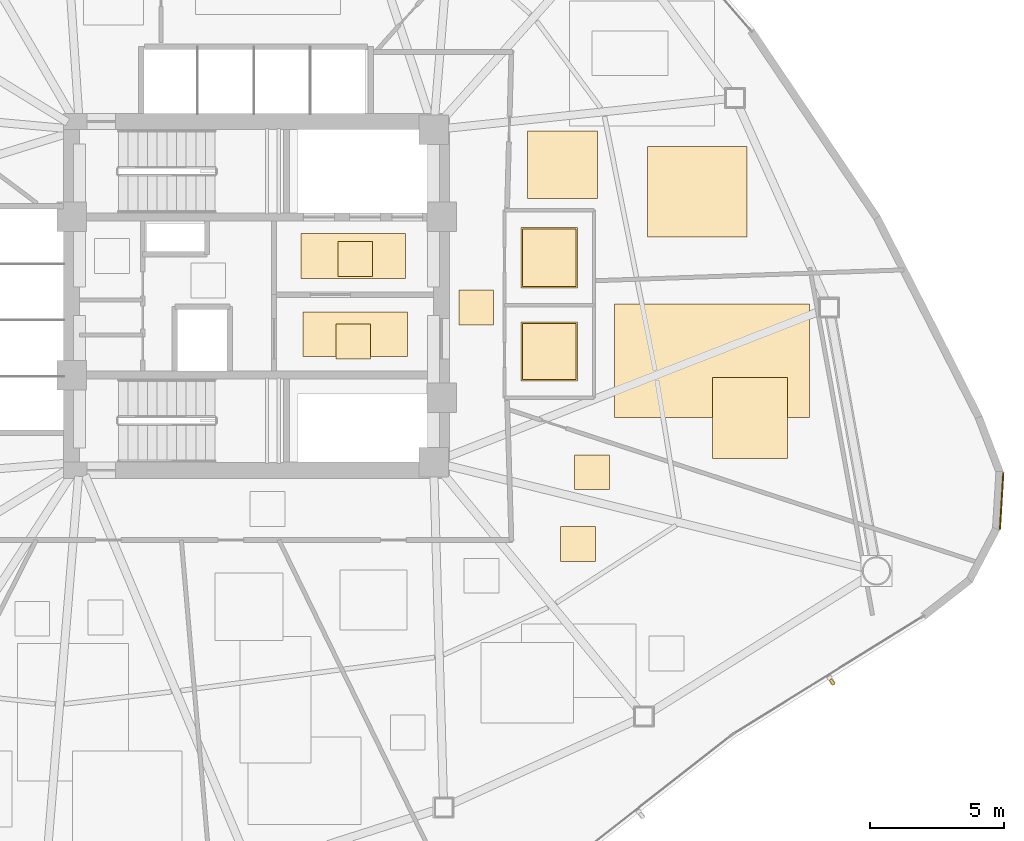
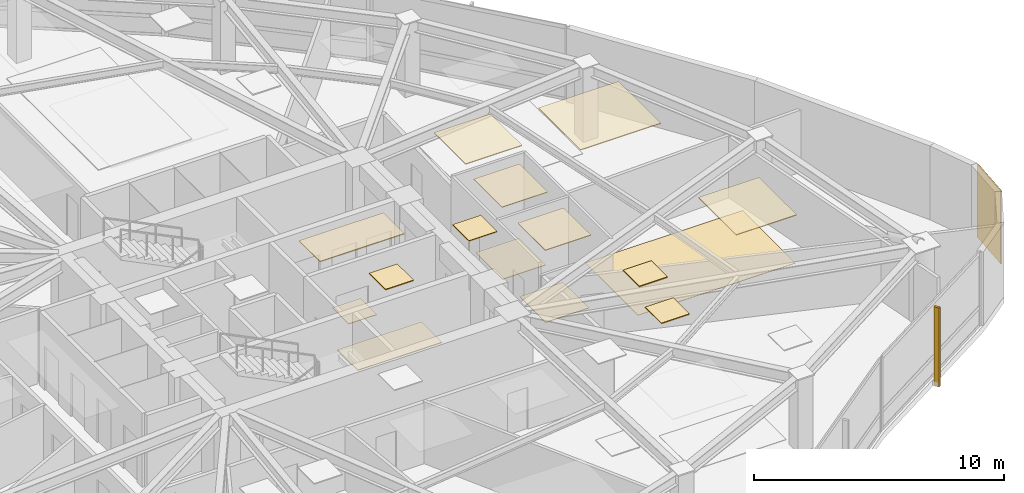
# One storey, part 16 of 17: 16 coverings, 1 shading device.
"""IFC4 building model written with IfcOpenShell, lengths in metres."""

import ifcopenshell
import ifcopenshell.guid

model = None  # the IFC model being written
_history = None  # IfcOwnerHistory: only IFC2X3 demands one
_inside = {}  # id of a spatial element -> (the spatial element, [elements in it])
_under = {}  # id of a project, library or spatial element -> (it, [spatial elements below it])
_declared = {}  # id of a project -> (the project, [libraries it declares])
_typed = {}  # id of a type object -> (the type object, [elements of that type])
_made_of = {}  # id of a material, layer set ... -> (it, [elements and type objects made of it])


def new_model(schema):
    """Start an empty IFC model of exactly this schema.

    Asked for "IFC4X3", IfcOpenShell would pick the latest addendum, in which some entities
    have other attributes; the version numbers below select the first issue.
    IFC2X3 requires an IfcOwnerHistory on every rooted entity: one is made here for all.
    """
    global model, _history
    if schema == "IFC4X3":
        model = ifcopenshell.file(schema_version=(4, 3, 0, 0))
    else:
        model = ifcopenshell.file(schema=schema)
    _inside.clear()
    _under.clear()
    _declared.clear()
    _typed.clear()
    _made_of.clear()
    _history = None
    if model.schema == "IFC2X3":
        org = make("IfcOrganization", Name="unknown")
        user = make(
            "IfcPersonAndOrganization",
            ThePerson=make("IfcPerson", FamilyName="unknown"),
            TheOrganization=org,
        )
        app = make(
            "IfcApplication",
            ApplicationDeveloper=org,
            Version="unknown",
            ApplicationFullName="unknown",
            ApplicationIdentifier="unknown",
        )
        _history = make(
            "IfcOwnerHistory",
            OwningUser=user,
            OwningApplication=app,
            ChangeAction="ADDED",
            CreationDate=0,
        )
    return model


def make(cls, **values):
    """One entity of the class cls with the attributes given. An attribute that is None is left unset."""
    return model.create_entity(
        cls, **{name: value for name, value in values.items() if value is not None}
    )


def rooted(cls, **values):
    """An entity with a GlobalId (a new one), such as an element, a storey or a relation."""
    return make(cls, GlobalId=ifcopenshell.guid.new(), OwnerHistory=_history, **values)


def si_unit(unit_type, name, prefix=None):
    """IfcSIUnit, for example si_unit("LENGTHUNIT", "METRE", prefix="MILLI")."""
    return make("IfcSIUnit", UnitType=unit_type, Prefix=prefix, Name=name)


def assignment(units):
    """IfcUnitAssignment: the units of a project."""
    return None if units is None else make("IfcUnitAssignment", Units=units)


def point(xyz):
    """IfcCartesianPoint."""
    return None if xyz is None else make("IfcCartesianPoint", Coordinates=xyz)


def direction(xyz):
    """IfcDirection."""
    return None if xyz is None else make("IfcDirection", DirectionRatios=xyz)


def frame(location, z_axis=None, x_axis=None):
    """IfcAxis2Placement3D, a coordinate frame: its origin and axes. An axis left out is left unset."""
    return make(
        "IfcAxis2Placement3D",
        Location=point(location),
        Axis=direction(z_axis),
        RefDirection=direction(x_axis),
    )


def frame_2d(location, x_axis=None):
    """IfcAxis2Placement2D, a coordinate frame in the plane: its origin and x axis."""
    return make(
        "IfcAxis2Placement2D", Location=point(location), RefDirection=direction(x_axis)
    )


def origin():
    """The frame at (0, 0, 0) with its axes left unset."""
    return frame((0.0, 0.0, 0.0))


def origin_2d():
    """The frame at (0, 0) in the plane with its x axis left unset."""
    return frame_2d((0.0, 0.0))


def place(relative_to, where):
    """IfcLocalPlacement: puts the frame where relative to a parent placement (None: the world)."""
    return make(
        "IfcLocalPlacement", PlacementRelTo=relative_to, RelativePlacement=where
    )


def context(
    kind, dimensions, precision=None, world=None, true_north=None, identifier=None
):
    """IfcGeometricRepresentationContext, for example the 3D "Model" context."""
    return make(
        "IfcGeometricRepresentationContext",
        ContextIdentifier=identifier,
        ContextType=kind,
        CoordinateSpaceDimension=dimensions,
        Precision=precision,
        WorldCoordinateSystem=world,
        TrueNorth=true_north,
    )


def subcontext(parent, identifier, kind, view, scale=None):
    """IfcGeometricRepresentationSubContext, for example "Body" below "Model"."""
    return make(
        "IfcGeometricRepresentationSubContext",
        ContextIdentifier=identifier,
        ContextType=kind,
        ParentContext=parent,
        TargetScale=scale,
        TargetView=view,
    )


def project(units=None, contexts=None):
    """IfcProject with its units and contexts."""
    return rooted(
        "IfcProject",
        Name="project",
        RepresentationContexts=contexts,
        UnitsInContext=assignment(units),
    )


def spatial(cls, under=None, at=None, **own):
    """A site, building, storey or space (cls), placed at a placement, below another one or the project."""
    s = rooted(cls, ObjectPlacement=at, **own)
    if under is not None:
        _under.setdefault(under.id(), (under, []))[1].append(s)
    return s


def polyline(points):
    """IfcPolyline through the points."""
    return make("IfcPolyline", Points=[point(p) for p in points])


def profile(cls, at=None, kind="AREA", **sizes):
    """A parametric profile (cls). Its sizes go by their IFC names, for example OverallWidth=200.0."""
    return make(cls, ProfileType=kind, Position=at, **sizes)


def rectangle(**sizes):
    """IfcRectangleProfileDef."""
    return profile("IfcRectangleProfileDef", **sizes)


def outline(outer, holes=None, kind="AREA"):
    """IfcArbitraryClosedProfileDef: a profile drawn as a closed curve; with holes, ...WithVoids."""
    if holes is None:
        return make("IfcArbitraryClosedProfileDef", ProfileType=kind, OuterCurve=outer)
    return make(
        "IfcArbitraryProfileDefWithVoids",
        ProfileType=kind,
        OuterCurve=outer,
        InnerCurves=holes,
    )


def extrude(swept, where, along, depth):
    """IfcExtrudedAreaSolid: the profile swept, set in the frame where, extruded along a direction by depth."""
    return make(
        "IfcExtrudedAreaSolid",
        SweptArea=swept,
        Position=where,
        ExtrudedDirection=direction(along),
        Depth=depth,
    )


def shape(context_of_items, identifier, shape_type, items):
    """IfcShapeRepresentation: the items that make up one representation, for example the "Body"."""
    return make(
        "IfcShapeRepresentation",
        ContextOfItems=context_of_items,
        RepresentationIdentifier=identifier,
        RepresentationType=shape_type,
        Items=items,
    )


def source(mapping_origin, context_of_items, identifier, shape_type, items):
    """IfcRepresentationMap: a shape defined once, which mapped items show again and again."""
    return make(
        "IfcRepresentationMap",
        MappingOrigin=mapping_origin,
        MappedRepresentation=shape(context_of_items, identifier, shape_type, items),
    )


def transform(
    local_origin,
    x_axis=None,
    y_axis=None,
    z_axis=None,
    scale=None,
    scale2=None,
    scale3=None,
    uniform=True,
):
    """IfcCartesianTransformationOperator3D, or its non-uniform kind. x_axis, y_axis, z_axis: its Axis1, 2, 3."""
    if uniform:
        return make(
            "IfcCartesianTransformationOperator3D",
            Axis1=direction(x_axis),
            Axis2=direction(y_axis),
            LocalOrigin=point(local_origin),
            Scale=scale,
            Axis3=direction(z_axis),
        )
    return make(
        "IfcCartesianTransformationOperator3DnonUniform",
        Axis1=direction(x_axis),
        Axis2=direction(y_axis),
        LocalOrigin=point(local_origin),
        Scale=scale,
        Axis3=direction(z_axis),
        Scale2=scale2,
        Scale3=scale3,
    )


def mapped(mapping_source, mapping_target):
    """IfcMappedItem: shows the shape of a source again, moved by a transform."""
    return make(
        "IfcMappedItem", MappingSource=mapping_source, MappingTarget=mapping_target
    )


def material(Name=None, Category=None):
    """IfcMaterial."""
    return make("IfcMaterial", Name=Name, Category=Category)


def layer(
    of_material, thickness, ventilated=None, Name=None, Category=None, Priority=None
):
    """IfcMaterialLayer: one layer of a wall or slab, of a material (None: an air gap)."""
    return make(
        "IfcMaterialLayer",
        Material=of_material,
        LayerThickness=thickness,
        IsVentilated=ventilated,
        Name=Name,
        Category=Category,
        Priority=Priority,
    )


def layer_set(layers, Name=None):
    """IfcMaterialLayerSet."""
    return make("IfcMaterialLayerSet", MaterialLayers=layers, LayerSetName=Name)


def made_of(thing, what):
    """Note that an element or type object is made of a material, layer set ...; save() writes the relation."""
    if what is not None:
        _made_of.setdefault(what.id(), (what, []))[1].append(thing)
    return thing


def type_object(cls, material=None, **own):
    """A type object (cls), such as IfcWallType, which elements share."""
    return made_of(rooted(cls, **own), material)


def type_shapes(of_type, sources):
    """Give a type object the sources (RepresentationMaps) that its elements show as mapped items."""
    of_type.RepresentationMaps = sources


def element(
    cls,
    number,
    at=None,
    inside=None,
    cuts=None,
    type_object=None,
    material=None,
    context=None,
    identifier="Body",
    shape_type=None,
    held_by="IfcProductDefinitionShape",
    body=None,
    shapes=None,
    **own,
):
    """One element of the class cls, such as IfcWall. Its Tag is "e" and its number.

    at: its placement. inside: the storey or other place that contains it. cuts: it is an
    opening in that element (IfcRelVoidsElement). A single representation is given by context,
    identifier, shape_type and body (its items); several are given by shapes. held_by: the class
    of the entity that holds the representations. save() writes the other relations.
    """
    e = rooted(cls, Tag="e%d" % number, ObjectPlacement=at, **own)
    if body is not None:
        shapes = [shape(context, identifier, shape_type, body)]
    if shapes is not None:
        e.Representation = make(held_by, Representations=shapes)
    if inside is not None:
        _inside.setdefault(inside.id(), (inside, []))[1].append(e)
    if cuts is not None:
        rooted(
            "IfcRelVoidsElement", RelatingBuildingElement=cuts, RelatedOpeningElement=e
        )
    if type_object is not None:
        _typed.setdefault(type_object.id(), (type_object, []))[1].append(e)
    return made_of(e, material)


def aggregate(whole, parts):
    """IfcRelAggregates: a whole, such as a stair, and the parts it consists of."""
    return rooted("IfcRelAggregates", RelatingObject=whole, RelatedObjects=parts)


def save(model, path):
    """Write the relations noted so far, then the file.

    IfcRelAggregates (storeys below a building ...), IfcRelContainedInSpatialStructure (elements
    in a storey), IfcRelDefinesByType, IfcRelAssociatesMaterial and IfcRelDeclares: one each for
    every whole, place, type object, material and project.
    """
    for whole, parts in _under.values():
        aggregate(whole, parts)
    for where, things in _inside.values():
        rooted(
            "IfcRelContainedInSpatialStructure",
            RelatedElements=things,
            RelatingStructure=where,
        )
    for kind, things in _typed.values():
        rooted("IfcRelDefinesByType", RelatedObjects=things, RelatingType=kind)
    for what, things in _made_of.values():
        rooted("IfcRelAssociatesMaterial", RelatedObjects=things, RelatingMaterial=what)
    for by, libraries in _declared.values():
        rooted("IfcRelDeclares", RelatingContext=by, RelatedDefinitions=libraries)
    model.write(path)


model = new_model("IFC4")

# Units and contexts
model_context = context("Model", 3, precision=1e-05, world=origin(), true_north=direction((0.0, 1.0)))
body_context = subcontext(model_context, "Body", "Model", "MODEL_VIEW")
ifc_project = project(units=[si_unit("LENGTHUNIT", "METRE"), si_unit("AREAUNIT", "SQUARE_METRE"), si_unit("VOLUMEUNIT", "CUBIC_METRE"), si_unit("PLANEANGLEUNIT", "RADIAN"), si_unit("MASSUNIT", "GRAM", prefix="KILO")], contexts=[model_context])

# Site, building, storey
site_placement = place(None, origin())
site = spatial("IfcSite", under=ifc_project, at=site_placement, CompositionType="ELEMENT")
building_placement = place(site_placement, origin())
building = spatial("IfcBuilding", under=site, at=building_placement, Name="Tavelor Broadcast Tower", CompositionType="ELEMENT")
storey_placement = place(building_placement, frame((0.0, 0.0, 86.10009765625)))
storey = spatial("IfcBuildingStorey", under=building, at=storey_placement, Name="L20", CompositionType="ELEMENT", Elevation=86.10009765625)

# Coverings
ifc_material_1 = material(Name="Copper-Bronze Anodized Aluminium", Category="aluminium")
ifc_layer_1 = layer(ifc_material_1, 0.044921875)
ifc_layer_set_1 = layer_set([ifc_layer_1], Name="Copper-Bronze Anodized Aluminium")
covering_type_1 = type_object("IfcCoveringType", Name="Anodised Bronze Linear Slatted Concourse Ceiling 45 mm", PredefinedType="CEILING", material=ifc_layer_set_1)
covering_1_placement = place(storey_placement, frame((0.0, 0.0, 3.554931640625)))
element("IfcCovering", 1, at=covering_1_placement, inside=storey, type_object=covering_type_1, Name="L20 Suspended Acoustic Ceiling 0827", PredefinedType="CEILING", context=body_context, shape_type="SweptSolid", body=[
    extrude(outline(polyline([(51.659912109375, 45.654296875), (55.55712890625, 45.654296875), (55.55712890625, 47.331787109375), (51.659912109375, 47.331787109375), (51.659912109375, 45.654296875)])), origin(), (0.0, 0.0, 1.0), 0.044921875),
])
covering_2_placement = place(storey_placement, frame((0.0, 0.0, 3.554931640625)))
element("IfcCovering", 2, at=covering_2_placement, inside=storey, type_object=covering_type_1, Name="L20 Suspended Acoustic Ceiling 0828", PredefinedType="CEILING", context=body_context, shape_type="SweptSolid", body=[
    extrude(outline(polyline([(52.95361328125, 42.656982421875), (54.25341796875, 42.656982421875), (54.25341796875, 43.95703125), (52.95361328125, 43.95703125), (52.95361328125, 42.656982421875)])), origin(), (0.0, 0.0, 1.0), 0.044921875),
])
ifc_layer_2 = layer(ifc_material_1, 0.050048828125)
ifc_layer_set_2 = layer_set([ifc_layer_2], Name="Copper-Bronze Anodized Aluminium")
covering_type_2 = type_object("IfcCoveringType", Name="Champagne-Bronze Corner Pier Metal Cladding 50 mm", PredefinedType="CLADDING", material=ifc_layer_set_2)
covering_3_placement = place(storey_placement, frame((77.7841796875, 37.357177734375, 0.019775390625), z_axis=(0.0, 0.0, 1.0), x_axis=(0.060177479469, 0.998187693254, 0.0)))
element("IfcCovering", 3, at=covering_3_placement, inside=storey, type_object=covering_type_2, Name="L20 Champagne-Bronze Corner Cladding 23", PredefinedType="CLADDING", context=body_context, shape_type="SweptSolid", body=[
    extrude(rectangle(XDim=2.106201171875, YDim=0.050048828125, at=origin_2d()), origin(), (0.0, 0.0, 1.0), 3.56005859375),
])
ifc_material_2 = material(Name="Architectural Anodized Aluminium", Category="aluminium")
ifc_layer_3 = layer(ifc_material_2, 0.034912109375)
ifc_layer_set_3 = layer_set([ifc_layer_3], Name="Architectural Anodized Aluminium")
covering_type_3 = type_object("IfcCoveringType", Name="Demountable Metal Tile Corridor Ceiling 35 mm", PredefinedType="CEILING", material=ifc_layer_set_3)
covering_4_placement = place(storey_placement, frame((0.0, 0.0, 3.56494140625)))
element("IfcCovering", 4, at=covering_4_placement, inside=storey, type_object=covering_type_3, Name="L20 Suspended Acoustic Ceiling 0831", PredefinedType="CEILING", context=body_context, shape_type="SweptSolid", body=[
    extrude(outline(polyline([(57.5400390625, 43.925048828125), (58.840087890625, 43.925048828125), (58.840087890625, 45.22509765625), (57.5400390625, 45.22509765625), (57.5400390625, 43.925048828125)])), origin(), (0.0, 0.0, 1.0), 0.034912109375),
])
ifc_material_3 = material(Name="Acoustic Nylon Carpet Tile")
ifc_layer_4 = layer(ifc_material_3, 0.02001953125)
ifc_layer_set_4 = layer_set([ifc_layer_4], Name="Acoustic Nylon Carpet Tile")
covering_type_4 = type_object("IfcCoveringType", Name="Heavy-Duty Acoustic Broadcast Carpet Tile 20 mm", PredefinedType="FLOORING", material=ifc_layer_set_4)
covering_5_placement = place(storey_placement, origin())
element("IfcCovering", 5, at=covering_5_placement, inside=storey, type_object=covering_type_4, Name="L20 Broadcast Floor Finish 0303", PredefinedType="FLOORING", context=body_context, shape_type="SweptSolid", body=[
    extrude(outline(polyline([(63.35302734375, 40.472412109375), (70.627197265625, 40.472412109375), (70.627197265625, 44.7041015625), (63.35302734375, 44.7041015625), (63.35302734375, 40.472412109375)])), origin(), (0.0, 0.0, 1.0), 0.02001953125),
])
ifc_material_4 = material(Name="Honed Natural Limestone Tile", Category="masonry")
ifc_layer_5 = layer(ifc_material_4, 0.030029296875)
ifc_layer_set_5 = layer_set([ifc_layer_5], Name="Honed Natural Limestone Tile")
covering_type_5 = type_object("IfcCoveringType", Name="Honed Jerusalem Limestone Concourse Flooring 30 mm", PredefinedType="FLOORING", material=ifc_layer_set_5)
covering_6_placement = place(storey_placement, origin())
element("IfcCovering", 6, at=covering_6_placement, inside=storey, type_object=covering_type_5, Name="L20 Broadcast Floor Finish 0288", PredefinedType="FLOORING", context=body_context, shape_type="SweptSolid", body=[
    extrude(outline(polyline([(53.030029296875, 45.728515625), (54.330078125, 45.728515625), (54.330078125, 47.028564453125), (53.030029296875, 47.028564453125), (53.030029296875, 45.728515625)])), origin(), (0.0, 0.0, 1.0), 0.02978515625),
])
covering_7_placement = place(storey_placement, origin())
element("IfcCovering", 7, at=covering_7_placement, inside=storey, type_object=covering_type_5, Name="L20 Broadcast Floor Finish 0289", PredefinedType="FLOORING", context=body_context, shape_type="SweptSolid", body=[
    extrude(outline(polyline([(51.728759765625, 42.743408203125), (55.62109375, 42.743408203125), (55.62109375, 44.396484375), (51.728759765625, 44.396484375), (51.728759765625, 42.743408203125)])), origin(), (0.0, 0.0, 1.0), 0.02978515625),
])
ifc_layer_6 = layer(ifc_material_2, 0.030029296875)
ifc_layer_set_6 = layer_set([ifc_layer_6], Name="Architectural Anodized Aluminium")
covering_type_6 = type_object("IfcCoveringType", Name="Moisture-Resistant Washroom Ceiling 30 mm", PredefinedType="CEILING", material=ifc_layer_set_6)
covering_8_placement = place(storey_placement, frame((0.0, 0.0, 3.56982421875)))
element("IfcCovering", 8, at=covering_8_placement, inside=storey, type_object=covering_type_6, Name="L20 Suspended Acoustic Ceiling 0834", PredefinedType="CEILING", context=body_context, shape_type="SweptSolid", body=[
    extrude(outline(polyline([(59.85302734375, 41.828369140625), (61.967041015625, 41.828369140625), (61.967041015625, 44.021484375), (59.85302734375, 44.021484375), (59.85302734375, 41.828369140625)])), origin(), (0.0, 0.0, 1.0), 0.030029296875),
])
covering_9_placement = place(storey_placement, frame((0.0, 0.0, 3.56982421875)))
element("IfcCovering", 9, at=covering_9_placement, inside=storey, type_object=covering_type_6, Name="L20 Suspended Acoustic Ceiling 0835", PredefinedType="CEILING", context=body_context, shape_type="SweptSolid", body=[
    extrude(outline(polyline([(59.85302734375, 45.29248046875), (61.967041015625, 45.29248046875), (61.967041015625, 47.5576171875), (59.85302734375, 47.5576171875), (59.85302734375, 45.29248046875)])), origin(), (0.0, 0.0, 1.0), 0.030029296875),
])
ifc_material_5 = material(Name="Slip-Resistant Porcelain Tile")
ifc_layer_7 = layer(ifc_material_5, 0.02490234375)
ifc_layer_set_7 = layer_set([ifc_layer_7], Name="Slip-Resistant Porcelain Tile")
covering_type_7 = type_object("IfcCoveringType", Name="Slip-Resistant Porcelain Wet-Area Floor Tile 25 mm", PredefinedType="FLOORING", material=ifc_layer_set_7)
covering_10_placement = place(storey_placement, origin())
element("IfcCovering", 10, at=covering_10_placement, inside=storey, type_object=covering_type_7, Name="L20 Broadcast Floor Finish 0291", PredefinedType="FLOORING", context=body_context, shape_type="SweptSolid", body=[
    extrude(outline(polyline([(59.91064453125, 41.885986328125), (61.909423828125, 41.885986328125), (61.909423828125, 43.964111328125), (59.91064453125, 43.964111328125), (59.91064453125, 41.885986328125)])), origin(), (0.0, 0.0, 1.0), 0.02490234375),
])
covering_11_placement = place(storey_placement, origin())
element("IfcCovering", 11, at=covering_11_placement, inside=storey, type_object=covering_type_7, Name="L20 Broadcast Floor Finish 0292", PredefinedType="FLOORING", context=body_context, shape_type="SweptSolid", body=[
    extrude(outline(polyline([(59.91064453125, 45.35009765625), (61.909423828125, 45.35009765625), (61.909423828125, 47.5), (59.91064453125, 47.5), (59.91064453125, 45.35009765625)])), origin(), (0.0, 0.0, 1.0), 0.02490234375),
])
ifc_material_6 = material(Name="Acoustic Mineral Fibre Tile")
ifc_layer_8 = layer(ifc_material_6, 0.0400390625)
ifc_layer_set_8 = layer_set([ifc_layer_8], Name="Acoustic Mineral Fibre Tile")
covering_type_8 = type_object("IfcCoveringType", Name="Suspended Acoustic Mineral-Fibre Office Ceiling 40 mm", PredefinedType="CEILING", material=ifc_layer_set_8)
covering_12_placement = place(storey_placement, frame((0.0, 0.0, 3.559814453125)))
element("IfcCovering", 12, at=covering_12_placement, inside=storey, type_object=covering_type_8, Name="L20 Suspended Acoustic Ceiling 0836", PredefinedType="CEILING", context=body_context, shape_type="SweptSolid", body=[
    extrude(outline(polyline([(61.335693359375, 35.1015625), (62.6357421875, 35.1015625), (62.6357421875, 36.401611328125), (61.335693359375, 36.401611328125), (61.335693359375, 35.1015625)])), origin(), (0.0, 0.0, 1.0), 0.0400390625),
])
covering_13_placement = place(storey_placement, frame((0.0, 0.0, 3.559814453125)))
element("IfcCovering", 13, at=covering_13_placement, inside=storey, type_object=covering_type_8, Name="L20 Suspended Acoustic Ceiling 0837", PredefinedType="CEILING", context=body_context, shape_type="SweptSolid", body=[
    extrude(outline(polyline([(61.8564453125, 37.773681640625), (63.156494140625, 37.773681640625), (63.156494140625, 39.073486328125), (61.8564453125, 39.073486328125), (61.8564453125, 37.773681640625)])), origin(), (0.0, 0.0, 1.0), 0.0400390625),
])
covering_14_placement = place(storey_placement, frame((0.0, 0.0, 3.559814453125)))
element("IfcCovering", 14, at=covering_14_placement, inside=storey, type_object=covering_type_8, Name="L20 Suspended Acoustic Ceiling 0868", PredefinedType="CEILING", context=body_context, shape_type="SweptSolid", body=[
    extrude(outline(polyline([(64.580078125, 47.189697265625), (68.2841796875, 47.189697265625), (68.2841796875, 50.564697265625), (64.580078125, 50.564697265625), (64.580078125, 47.189697265625)])), origin(), (0.0, 0.0, 1.0), 0.0400390625),
])
covering_15_placement = place(storey_placement, frame((0.0, 0.0, 3.559814453125)))
element("IfcCovering", 15, at=covering_15_placement, inside=storey, type_object=covering_type_8, Name="L20 Suspended Acoustic Ceiling 0869", PredefinedType="CEILING", context=body_context, shape_type="SweptSolid", body=[
    extrude(outline(polyline([(60.101318359375, 48.6298828125), (62.71533203125, 48.6298828125), (62.71533203125, 51.154052734375), (60.101318359375, 51.154052734375), (60.101318359375, 48.6298828125)])), origin(), (0.0, 0.0, 1.0), 0.0400390625),
])
covering_16_placement = place(storey_placement, frame((0.0, 0.0, 3.559814453125)))
element("IfcCovering", 16, at=covering_16_placement, inside=storey, type_object=covering_type_8, Name="L20 Suspended Acoustic Ceiling 0871", PredefinedType="CEILING", context=body_context, shape_type="SweptSolid", body=[
    extrude(outline(polyline([(67.001953125, 38.94140625), (69.79931640625, 38.94140625), (69.79931640625, 41.95654296875), (67.001953125, 41.95654296875), (67.001953125, 38.94140625)])), origin(), (0.0, 0.0, 1.0), 0.0400390625),
])

# Shading device
ifc_material_7 = material(Name="Kiln-Fired Glazed Terracotta", Category="masonry")
shading_device_type = type_object("IfcShadingDeviceType", Name="Extruded Terracotta Baguette Sun-Screen 110x240", PredefinedType="JALOUSIE", material=ifc_material_7)
shared_shape = source(origin(), body_context, "Body", "SweptSolid", [
    extrude(rectangle(XDim=0.110107421875, YDim=0.239990234375, at=origin_2d()), origin(), (0.0, 0.0, 1.0), 3.840087890625),
])
type_shapes(shading_device_type, [shared_shape])
shading_device_placement = place(storey_placement, frame((71.465576171875, 30.599365234375, -0.26025390625), z_axis=(0.0, 0.0, 1.0), x_axis=(0.850076583478, 0.526659094883, 0.0)))
element("IfcShadingDevice", 17, at=shading_device_placement, inside=storey, type_object=shading_device_type, Name="L20 Terracotta Baguette Fin 200", PredefinedType="JALOUSIE", context=body_context, shape_type="MappedRepresentation", body=[
    mapped(shared_shape, transform((0.0, 0.0, 0.0), scale=1.0)),
])

save(model, "model.ifc")
